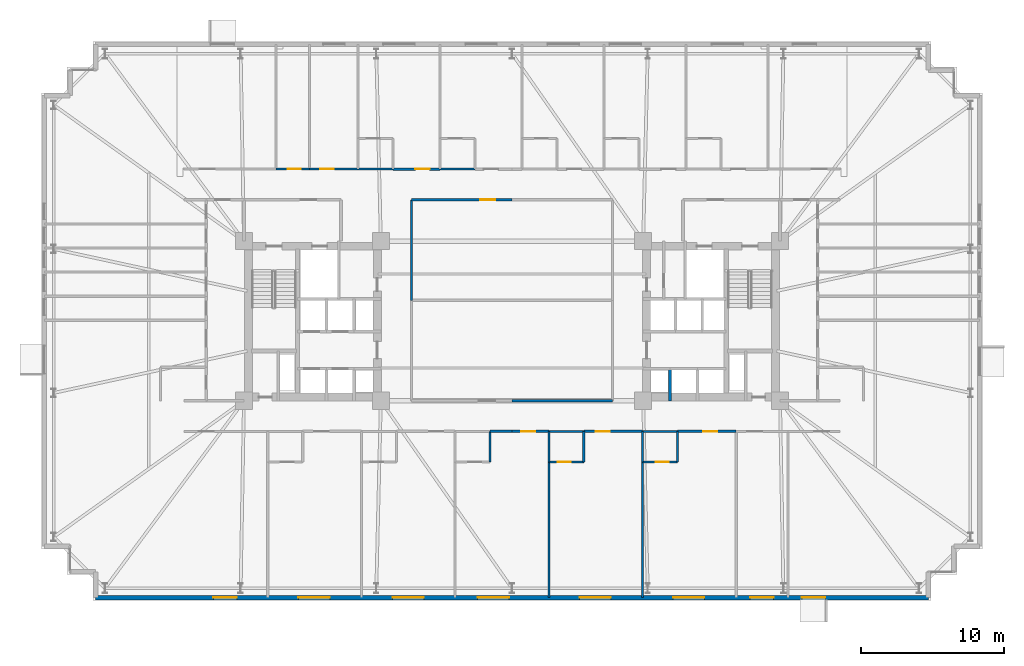
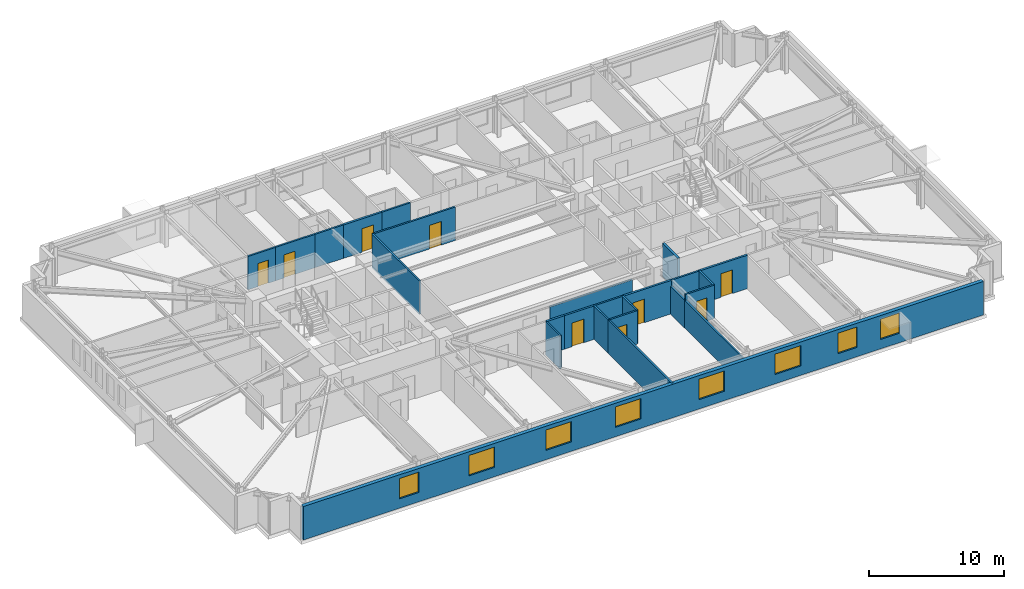
# One storey, part 16 of 22: 25 walls, 9 doors, 8 windows, 17 openings.
"""IFC4 building model written with IfcOpenShell, lengths in metres."""

from ifc_helpers import new_model, si_unit, direction, frame, frame_2d, origin, place, context, subcontext, project, spatial, rectangle, extrude, material, layer, layer_set, type_object, element, fill, save


model = new_model("IFC4")

# Units and contexts
model_context = context("Model", 3, precision=1e-05, world=origin(), true_north=direction((0.0, 1.0)))
body_context = subcontext(model_context, "Body", "Model", "MODEL_VIEW")
ifc_project = project(units=[si_unit("LENGTHUNIT", "METRE"), si_unit("AREAUNIT", "SQUARE_METRE"), si_unit("VOLUMEUNIT", "CUBIC_METRE"), si_unit("PLANEANGLEUNIT", "RADIAN"), si_unit("MASSUNIT", "GRAM", prefix="KILO")], contexts=[model_context])

# Site, building, storey
site_placement = place(None, origin())
site = spatial("IfcSite", under=ifc_project, at=site_placement, CompositionType="ELEMENT")
building_placement = place(site_placement, origin())
building = spatial("IfcBuilding", under=site, at=building_placement, Name="Qobustan Lattice House", CompositionType="ELEMENT")
storey_placement = place(building_placement, frame((0.0, 0.0, 53.800048828125)))
storey = spatial("IfcBuildingStorey", under=building, at=storey_placement, Name="L14", CompositionType="ELEMENT", Elevation=53.800048828125)

# Wall, openings, windows
ifc_material_1 = material(Name="Precast concrete C40/50", Category="concrete")
ifc_layer_1 = layer(ifc_material_1, 0.320068359375)
ifc_layer_set_1 = layer_set([ifc_layer_1], Name="Precast concrete C40/50")
wall_type_1 = type_object("IfcWallType", Name="WAL-EXT-STONE-320", PredefinedType="SOLIDWALL", material=ifc_layer_set_1)
wall_1_placement = place(storey_placement, frame((29.199951171875, -19.39990234375, 0.0), z_axis=(0.0, 0.0, 1.0), x_axis=(-1.0, 0.0, 0.0)))
wall_1 = element("IfcWall", 1, at=wall_1_placement, inside=storey, type_object=wall_type_1, Name="L14 exterior limestone-clad wall 20", PredefinedType="SOLIDWALL", context=body_context, shape_type="SweptSolid", body=[
    extrude(rectangle(XDim=58.39990234375, YDim=0.320068359375, at=frame_2d((29.199951171875, 0.0))), origin(), (0.0, 0.0, 1.0), 3.034912109375),
])
opening_1_placement = place(wall_1_placement, frame((7.215087890625, 0.0, 0.85009765625)))
opening_1 = element("IfcOpeningElement", 2, at=opening_1_placement, cuts=wall_1, Name="Opening WN-09", PredefinedType="OPENING", context=body_context, shape_type="SweptSolid", body=[
    extrude(rectangle(XDim=1.64990234375, YDim=1.85009765625, at=frame_2d((0.824951171875, 0.925048828125))), frame((0.0, 0.169921875, 0.0), z_axis=(0.0, -1.0, 0.0), x_axis=(1.0, 0.0, 0.0)), (0.0, 0.0, 1.0), 0.340087890625),
])
opening_2_placement = place(wall_1_placement, frame((10.85498046875, 0.0, 0.85009765625)))
opening_2 = element("IfcOpeningElement", 3, at=opening_2_placement, cuts=wall_1, Name="Opening WN-09", PredefinedType="OPENING", context=body_context, shape_type="SweptSolid", body=[
    extrude(rectangle(XDim=1.64990234375, YDim=1.85009765625, at=frame_2d((0.824951171875, 0.925048828125))), frame((0.0, 0.169921875, 0.0), z_axis=(0.0, -1.0, 0.0), x_axis=(1.0, 0.0, 0.0)), (0.0, 0.0, 1.0), 0.340087890625),
])
opening_3_placement = place(wall_1_placement, frame((15.699951171875, 0.0, 0.85009765625)))
opening_3 = element("IfcOpeningElement", 4, at=opening_3_placement, cuts=wall_1, Name="Opening WN-03", PredefinedType="OPENING", context=body_context, shape_type="SweptSolid", body=[
    extrude(rectangle(XDim=2.199951171875, YDim=1.85009765625, at=frame_2d((1.10009765625, 0.925048828125))), frame((0.0, 0.169921875, 0.0), z_axis=(0.0, -1.0, 0.0), x_axis=(1.0, 0.0, 0.0)), (0.0, 0.0, 1.0), 0.340087890625),
])
opening_4_placement = place(wall_1_placement, frame((22.260009765625, 0.0, 0.85009765625)))
opening_4 = element("IfcOpeningElement", 5, at=opening_4_placement, cuts=wall_1, Name="Opening WN-03", PredefinedType="OPENING", context=body_context, shape_type="SweptSolid", body=[
    extrude(rectangle(XDim=2.199951171875, YDim=1.85009765625, at=frame_2d((1.10009765625, 0.925048828125))), frame((0.0, 0.169921875, 0.0), z_axis=(0.0, -1.0, 0.0), x_axis=(1.0, 0.0, 0.0)), (0.0, 0.0, 1.0), 0.340087890625),
])
opening_5_placement = place(wall_1_placement, frame((29.407958984375, 0.0, 0.85009765625)))
opening_5 = element("IfcOpeningElement", 6, at=opening_5_placement, cuts=wall_1, Name="Opening WN-03", PredefinedType="OPENING", context=body_context, shape_type="SweptSolid", body=[
    extrude(rectangle(XDim=2.199951171875, YDim=1.85009765625, at=frame_2d((1.10009765625, 0.925048828125))), frame((0.0, 0.169921875, 0.0), z_axis=(0.0, -1.0, 0.0), x_axis=(1.0, 0.0, 0.0)), (0.0, 0.0, 1.0), 0.340087890625),
])
opening_6_placement = place(wall_1_placement, frame((35.3798828125, 0.0, 0.85009765625)))
opening_6 = element("IfcOpeningElement", 7, at=opening_6_placement, cuts=wall_1, Name="Opening WN-03", PredefinedType="OPENING", context=body_context, shape_type="SweptSolid", body=[
    extrude(rectangle(XDim=2.199951171875, YDim=1.85009765625, at=frame_2d((1.10009765625, 0.925048828125))), frame((0.0, 0.169921875, 0.0), z_axis=(0.0, -1.0, 0.0), x_axis=(1.0, 0.0, 0.0)), (0.0, 0.0, 1.0), 0.340087890625),
])
opening_7_placement = place(wall_1_placement, frame((41.97998046875, 0.0, 0.85009765625)))
opening_7 = element("IfcOpeningElement", 8, at=opening_7_placement, cuts=wall_1, Name="Opening WN-03", PredefinedType="OPENING", context=body_context, shape_type="SweptSolid", body=[
    extrude(rectangle(XDim=2.199951171875, YDim=1.85009765625, at=frame_2d((1.10009765625, 0.925048828125))), frame((0.0, 0.169921875, 0.0), z_axis=(0.0, -1.0, 0.0), x_axis=(1.0, 0.0, 0.0)), (0.0, 0.0, 1.0), 0.340087890625),
])
opening_8_placement = place(wall_1_placement, frame((48.4951171875, 0.0, 0.85009765625)))
opening_8 = element("IfcOpeningElement", 9, at=opening_8_placement, cuts=wall_1, Name="Opening WN-09", PredefinedType="OPENING", context=body_context, shape_type="SweptSolid", body=[
    extrude(rectangle(XDim=1.64990234375, YDim=1.85009765625, at=frame_2d((0.824951171875, 0.925048828125))), frame((0.0, 0.169921875, 0.0), z_axis=(0.0, -1.0, 0.0), x_axis=(1.0, 0.0, 0.0)), (0.0, 0.0, 1.0), 0.340087890625),
])
ifc_material_2 = material(Name="Double-glazed low-E aluminium window", Category="aluminium")
window_type_1 = type_object("IfcWindowType", Name="WIN-STU-1650x1850", PartitioningType="SINGLE_PANEL", PredefinedType="WINDOW", material=ifc_material_2)
window_1_placement = place(opening_1_placement, origin())
window_1 = element("IfcWindow", 10, at=window_1_placement, inside=storey, type_object=window_type_1, Name="L14 Academic seminar room window", OverallHeight=1.85009765625, OverallWidth=1.64990234375, PartitioningType="SINGLE_PANEL", PredefinedType="WINDOW", context=body_context, shape_type="SweptSolid", body=[
    extrude(rectangle(XDim=1.64990234375, YDim=1.85009765625, at=frame_2d((0.824951171875, 0.925048828125))), frame((0.0, 0.030029296875, 0.0), z_axis=(0.0, -1.0, 0.0), x_axis=(1.0, 0.0, 0.0)), (0.0, 0.0, 1.0), 0.06005859375),
])
fill(opening_1, window_1)
window_2_placement = place(opening_2_placement, origin())
window_2 = element("IfcWindow", 11, at=window_2_placement, inside=storey, type_object=window_type_1, Name="L14 Group study room window", OverallHeight=1.85009765625, OverallWidth=1.64990234375, PartitioningType="SINGLE_PANEL", PredefinedType="WINDOW", context=body_context, shape_type="SweptSolid", body=[
    extrude(rectangle(XDim=1.64990234375, YDim=1.85009765625, at=frame_2d((0.824951171875, 0.925048828125))), frame((0.0, 0.030029296875, 0.0), z_axis=(0.0, -1.0, 0.0), x_axis=(1.0, 0.0, 0.0)), (0.0, 0.0, 1.0), 0.06005859375),
])
fill(opening_2, window_2)
window_3_placement = place(opening_8_placement, origin())
window_3 = element("IfcWindow", 12, at=window_3_placement, inside=storey, type_object=window_type_1, Name="L14 Focus study room S1 window", OverallHeight=1.85009765625, OverallWidth=1.64990234375, PartitioningType="SINGLE_PANEL", PredefinedType="WINDOW", context=body_context, shape_type="SweptSolid", body=[
    extrude(rectangle(XDim=1.64990234375, YDim=1.85009765625, at=frame_2d((0.824951171875, 0.925048828125))), frame((0.0, 0.030029296875, 0.0), z_axis=(0.0, -1.0, 0.0), x_axis=(1.0, 0.0, 0.0)), (0.0, 0.0, 1.0), 0.06005859375),
])
fill(opening_8, window_3)
ifc_material_3 = material(Name="Double-glazed low-E aluminium window", Category="aluminium")
window_type_2 = type_object("IfcWindowType", Name="WIN-WIDE-2200x1850", PartitioningType="SINGLE_PANEL", PredefinedType="WINDOW", material=ifc_material_3)
window_4_placement = place(opening_3_placement, origin())
window_4 = element("IfcWindow", 13, at=window_4_placement, inside=storey, type_object=window_type_2, Name="L14 Kitchenette and studio apartment L14-S6 window", OverallHeight=1.85009765625, OverallWidth=2.199951171875, PartitioningType="SINGLE_PANEL", PredefinedType="WINDOW", context=body_context, shape_type="SweptSolid", body=[
    extrude(rectangle(XDim=2.199951171875, YDim=1.85009765625, at=frame_2d((1.10009765625, 0.925048828125))), frame((0.0, 0.030029296875, 0.0), z_axis=(0.0, -1.0, 0.0), x_axis=(1.0, 0.0, 0.0)), (0.0, 0.0, 1.0), 0.06005859375),
])
fill(opening_3, window_4)
window_5_placement = place(opening_4_placement, origin())
window_5 = element("IfcWindow", 14, at=window_5_placement, inside=storey, type_object=window_type_2, Name="L14 Kitchenette and studio apartment L14-S5 window", OverallHeight=1.85009765625, OverallWidth=2.199951171875, PartitioningType="SINGLE_PANEL", PredefinedType="WINDOW", context=body_context, shape_type="SweptSolid", body=[
    extrude(rectangle(XDim=2.199951171875, YDim=1.85009765625, at=frame_2d((1.10009765625, 0.925048828125))), frame((0.0, 0.030029296875, 0.0), z_axis=(0.0, -1.0, 0.0), x_axis=(1.0, 0.0, 0.0)), (0.0, 0.0, 1.0), 0.06005859375),
])
fill(opening_4, window_5)
window_6_placement = place(opening_5_placement, origin())
window_6 = element("IfcWindow", 15, at=window_6_placement, inside=storey, type_object=window_type_2, Name="L14 Kitchenette and studio apartment L14-S4 window", OverallHeight=1.85009765625, OverallWidth=2.199951171875, PartitioningType="SINGLE_PANEL", PredefinedType="WINDOW", context=body_context, shape_type="SweptSolid", body=[
    extrude(rectangle(XDim=2.199951171875, YDim=1.85009765625, at=frame_2d((1.10009765625, 0.925048828125))), frame((0.0, 0.030029296875, 0.0), z_axis=(0.0, -1.0, 0.0), x_axis=(1.0, 0.0, 0.0)), (0.0, 0.0, 1.0), 0.06005859375),
])
fill(opening_5, window_6)
window_7_placement = place(opening_6_placement, origin())
window_7 = element("IfcWindow", 16, at=window_7_placement, inside=storey, type_object=window_type_2, Name="L14 Kitchenette and studio apartment L14-S3 window", OverallHeight=1.85009765625, OverallWidth=2.199951171875, PartitioningType="SINGLE_PANEL", PredefinedType="WINDOW", context=body_context, shape_type="SweptSolid", body=[
    extrude(rectangle(XDim=2.199951171875, YDim=1.85009765625, at=frame_2d((1.10009765625, 0.925048828125))), frame((0.0, 0.030029296875, 0.0), z_axis=(0.0, -1.0, 0.0), x_axis=(1.0, 0.0, 0.0)), (0.0, 0.0, 1.0), 0.06005859375),
])
fill(opening_6, window_7)
window_8_placement = place(opening_7_placement, origin())
window_8 = element("IfcWindow", 17, at=window_8_placement, inside=storey, type_object=window_type_2, Name="L14 Kitchenette and studio apartment L14-S2 window", OverallHeight=1.85009765625, OverallWidth=2.199951171875, PartitioningType="SINGLE_PANEL", PredefinedType="WINDOW", context=body_context, shape_type="SweptSolid", body=[
    extrude(rectangle(XDim=2.199951171875, YDim=1.85009765625, at=frame_2d((1.10009765625, 0.925048828125))), frame((0.0, 0.030029296875, 0.0), z_axis=(0.0, -1.0, 0.0), x_axis=(1.0, 0.0, 0.0)), (0.0, 0.0, 1.0), 0.06005859375),
])
fill(opening_7, window_8)

# Wall, opening, door
ifc_material_4 = material(Name="Gypsum fireboard acoustic partition", Category="gypsum")
ifc_layer_2 = layer(ifc_material_4, 0.179931640625)
ifc_layer_set_2 = layer_set([ifc_layer_2], Name="Gypsum fireboard acoustic partition")
wall_type_2 = type_object("IfcWallType", Name="WAL-FIRE-180", PredefinedType="PARTITIONING", material=ifc_layer_set_2)
wall_2_placement = place(storey_placement, frame((-8.35009765625, 10.64990234375, 0.0), z_axis=(0.0, 0.0, 1.0), x_axis=(1.0, 0.0, 0.0)))
wall_2 = element("IfcWall", 18, at=wall_2_placement, inside=storey, type_object=wall_type_2, Name="L14 interior partition 41", PredefinedType="PARTITIONING", context=body_context, shape_type="SweptSolid", body=[
    extrude(rectangle(XDim=3.300048828125, YDim=0.179931640625, at=frame_2d((1.64990234375, 0.0))), origin(), (0.0, 0.0, 1.0), 3.034912109375),
])
opening_9_placement = place(wall_2_placement, frame((1.577392578125, 0.0, 0.0)))
opening_9 = element("IfcOpeningElement", 19, at=opening_9_placement, cuts=wall_2, Name="Opening FD-02", PredefinedType="OPENING", context=body_context, shape_type="SweptSolid", body=[
    extrude(rectangle(XDim=1.0, YDim=2.14990234375, at=frame_2d((0.5, 1.074951171875))), frame((0.0, 0.099853515625, 0.0), z_axis=(0.0, -1.0, 0.0), x_axis=(1.0, 0.0, 0.0)), (0.0, 0.0, 1.0), 0.199951171875),
])
ifc_material_5 = material(Name="Persian walnut timber and steel frame door", Category="steel")
door_type_1 = type_object("IfcDoorType", Name="DOR-UNIT-FD-1000x2150", OperationType="NOTDEFINED", PredefinedType="DOOR", material=ifc_material_5)
door_1_placement = place(opening_9_placement, origin())
door_1 = element("IfcDoor", 20, at=door_1_placement, inside=storey, type_object=door_type_1, Name="L14 North-west floor corridor to Kitchenette and studio apartment L14-N3 door", OperationType="SINGLE_SWING_LEFT", OverallHeight=2.14990234375, OverallWidth=1.0, PredefinedType="DOOR", context=body_context, shape_type="SweptSolid", body=[
    extrude(rectangle(XDim=1.0, YDim=2.14990234375, at=frame_2d((0.5, 1.074951171875))), frame((0.0, 0.02490234375, 0.0), z_axis=(0.0, -1.0, 0.0), x_axis=(1.0, 0.0, 0.0)), (0.0, 0.0, 1.0), 0.050048828125),
])
fill(opening_9, door_1)

# Wall
wall_3_placement = place(storey_placement, frame((0.0, -7.75, 0.0), z_axis=(0.0, 0.0, 1.0), x_axis=(-1.0, 0.0, 0.0)))
element("IfcWall", 21, at=wall_3_placement, inside=storey, type_object=wall_type_2, Name="L14 interior partition 64", PredefinedType="PARTITIONING", context=body_context, shape_type="SweptSolid", body=[
    extrude(rectangle(XDim=1.535888671875, YDim=0.179931640625, at=frame_2d((0.76806640625, 0.0))), origin(), (0.0, 0.0, 1.0), 3.034912109375),
])

# Wall, opening, door
wall_4_placement = place(storey_placement, frame((2.5859375, -7.75, 0.0), z_axis=(0.0, 0.0, 1.0), x_axis=(-1.0, 0.0, 0.0)))
wall_4 = element("IfcWall", 22, at=wall_4_placement, inside=storey, type_object=wall_type_2, Name="L14 interior partition 69", PredefinedType="PARTITIONING", context=body_context, shape_type="SweptSolid", body=[
    extrude(rectangle(XDim=2.5859375, YDim=0.179931640625, at=frame_2d((1.29296875, 0.0))), origin(), (0.0, 0.0, 1.0), 3.034912109375),
])
opening_10_placement = place(wall_4_placement, frame((0.95263671875, 0.0, 0.0)))
opening_10 = element("IfcOpeningElement", 23, at=opening_10_placement, cuts=wall_4, Name="Opening FD-02", PredefinedType="OPENING", context=body_context, shape_type="SweptSolid", body=[
    extrude(rectangle(XDim=1.0, YDim=2.14990234375, at=frame_2d((0.5, 1.074951171875))), frame((0.0, 0.099853515625, 0.0), z_axis=(0.0, -1.0, 0.0), x_axis=(1.0, 0.0, 0.0)), (0.0, 0.0, 1.0), 0.199951171875),
])
door_2_placement = place(opening_10_placement, origin())
door_2 = element("IfcDoor", 24, at=door_2_placement, inside=storey, type_object=door_type_1, Name="L14 South-east floor corridor to Kitchenette and studio apartment L14-S4 door", OperationType="SINGLE_SWING_LEFT", OverallHeight=2.14990234375, OverallWidth=1.0, PredefinedType="DOOR", context=body_context, shape_type="SweptSolid", body=[
    extrude(rectangle(XDim=1.0, YDim=2.14990234375, at=frame_2d((0.5, 1.074951171875))), frame((0.0, 0.02490234375, 0.0), z_axis=(0.0, -1.0, 0.0), x_axis=(1.0, 0.0, 0.0)), (0.0, 0.0, 1.0), 0.050048828125),
])
fill(opening_10, door_2)

wall_5_placement = place(storey_placement, frame((9.156982421875, -7.75, 0.0), z_axis=(0.0, 0.0, 1.0), x_axis=(-1.0, 0.0, 0.0)))
wall_5 = element("IfcWall", 25, at=wall_5_placement, inside=storey, type_object=wall_type_2, Name="L14 interior partition 70", PredefinedType="PARTITIONING", context=body_context, shape_type="SweptSolid", body=[
    extrude(rectangle(XDim=4.12109375, YDim=0.179931640625, at=frame_2d((2.060546875, 0.0))), origin(), (0.0, 0.0, 1.0), 3.034912109375),
])
opening_11_placement = place(wall_5_placement, frame((2.2958984375, 0.0, 0.0)))
opening_11 = element("IfcOpeningElement", 26, at=opening_11_placement, cuts=wall_5, Name="Opening FD-02", PredefinedType="OPENING", context=body_context, shape_type="SweptSolid", body=[
    extrude(rectangle(XDim=1.0, YDim=2.14990234375, at=frame_2d((0.5, 1.074951171875))), frame((0.0, 0.099853515625, 0.0), z_axis=(0.0, -1.0, 0.0), x_axis=(1.0, 0.0, 0.0)), (0.0, 0.0, 1.0), 0.199951171875),
])
door_3_placement = place(opening_11_placement, origin())
door_3 = element("IfcDoor", 27, at=door_3_placement, inside=storey, type_object=door_type_1, Name="L14 South-east floor corridor to Kitchenette and studio apartment L14-S5 door", OperationType="SINGLE_SWING_RIGHT", OverallHeight=2.14990234375, OverallWidth=1.0, PredefinedType="DOOR", context=body_context, shape_type="SweptSolid", body=[
    extrude(rectangle(XDim=1.0, YDim=2.14990234375, at=frame_2d((0.5, 1.074951171875))), frame((0.0, 0.02490234375, 0.0), z_axis=(0.0, -1.0, 0.0), x_axis=(1.0, 0.0, 0.0)), (0.0, 0.0, 1.0), 0.050048828125),
])
fill(opening_11, door_3)

wall_6_placement = place(storey_placement, frame((15.72900390625, -7.75, 0.0), z_axis=(0.0, 0.0, 1.0), x_axis=(-1.0, 0.0, 0.0)))
wall_6 = element("IfcWall", 28, at=wall_6_placement, inside=storey, type_object=wall_type_2, Name="L14 interior partition 72", PredefinedType="PARTITIONING", context=body_context, shape_type="SweptSolid", body=[
    extrude(rectangle(XDim=4.1220703125, YDim=0.179931640625, at=frame_2d((2.06103515625, 0.0))), origin(), (0.0, 0.0, 1.0), 3.034912109375),
])
opening_12_placement = place(wall_6_placement, frame((1.315673828125, 0.0, 0.0)))
opening_12 = element("IfcOpeningElement", 29, at=opening_12_placement, cuts=wall_6, Name="Opening FD-02", PredefinedType="OPENING", context=body_context, shape_type="SweptSolid", body=[
    extrude(rectangle(XDim=1.0, YDim=2.14990234375, at=frame_2d((0.5, 1.074951171875))), frame((0.0, 0.099853515625, 0.0), z_axis=(0.0, -1.0, 0.0), x_axis=(1.0, 0.0, 0.0)), (0.0, 0.0, 1.0), 0.199951171875),
])
door_4_placement = place(opening_12_placement, origin())
door_4 = element("IfcDoor", 30, at=door_4_placement, inside=storey, type_object=door_type_1, Name="L14 South-east floor corridor to Kitchenette and studio apartment L14-S6 door", OperationType="SINGLE_SWING_LEFT", OverallHeight=2.14990234375, OverallWidth=1.0, PredefinedType="DOOR", context=body_context, shape_type="SweptSolid", body=[
    extrude(rectangle(XDim=1.0, YDim=2.14990234375, at=frame_2d((0.5, 1.074951171875))), frame((0.0, 0.02490234375, 0.0), z_axis=(0.0, -1.0, 0.0), x_axis=(1.0, 0.0, 0.0)), (0.0, 0.0, 1.0), 0.050048828125),
])
fill(opening_12, door_4)

ifc_material_6 = material(Name="Acoustic twin-stud gypsum partition", Category="gypsum")
ifc_layer_3 = layer(ifc_material_6, 0.14990234375)
ifc_layer_set_3 = layer_set([ifc_layer_3], Name="Acoustic twin-stud gypsum partition")
wall_type_3 = type_object("IfcWallType", Name="WAL-PART-150", PredefinedType="PARTITIONING", material=ifc_layer_set_3)
wall_7_placement = place(storey_placement, frame((-14.199951171875, 10.64990234375, 0.0), z_axis=(0.0, 0.0, 1.0), x_axis=(1.0, 0.0, 0.0)))
wall_7 = element("IfcWall", 31, at=wall_7_placement, inside=storey, type_object=wall_type_3, Name="L14 interior partition 40", PredefinedType="PARTITIONING", context=body_context, shape_type="SweptSolid", body=[
    extrude(rectangle(XDim=3.39990234375, YDim=0.14990234375, at=frame_2d((1.699951171875, 0.0))), origin(), (0.0, 0.0, 1.0), 3.034912109375),
])
opening_13_placement = place(wall_7_placement, frame((0.7412109375, 0.0, 0.0)))
opening_13 = element("IfcOpeningElement", 32, at=opening_13_placement, cuts=wall_7, Name="Opening ID-01", PredefinedType="OPENING", context=body_context, shape_type="SweptSolid", body=[
    extrude(rectangle(XDim=0.949951171875, YDim=2.10009765625, at=frame_2d((0.47509765625, 1.050048828125))), frame((0.0, 0.0849609375, 0.0), z_axis=(0.0, -1.0, 0.0), x_axis=(1.0, 0.0, 0.0)), (0.0, 0.0, 1.0), 0.169921875),
])
ifc_material_7 = material(Name="Persian walnut timber and steel frame door", Category="steel")
door_type_2 = type_object("IfcDoorType", Name="DOR-ROOM-950x2100", OperationType="NOTDEFINED", PredefinedType="DOOR", material=ifc_material_7)
door_5_placement = place(opening_13_placement, origin())
door_5 = element("IfcDoor", 33, at=door_5_placement, inside=storey, type_object=door_type_2, Name="L14 North-west floor corridor to Laundry utility room door", OperationType="SINGLE_SWING_RIGHT", OverallHeight=2.10009765625, OverallWidth=0.949951171875, PredefinedType="DOOR", context=body_context, shape_type="SweptSolid", body=[
    extrude(rectangle(XDim=0.949951171875, YDim=2.10009765625, at=frame_2d((0.47509765625, 1.050048828125))), frame((0.0, 0.02490234375, 0.0), z_axis=(0.0, -1.0, 0.0), x_axis=(1.0, 0.0, 0.0)), (0.0, 0.0, 1.0), 0.050048828125),
])
fill(opening_13, door_5)

wall_8_placement = place(storey_placement, frame((0.0, 8.5, 0.0), z_axis=(0.0, 0.0, 1.0), x_axis=(-1.0, 0.0, 0.0)))
wall_8 = element("IfcWall", 34, at=wall_8_placement, inside=storey, type_object=wall_type_3, Name="L14 interior partition 45", PredefinedType="PARTITIONING", context=body_context, shape_type="SweptSolid", body=[
    extrude(rectangle(XDim=7.050048828125, YDim=0.14990234375, at=frame_2d((3.52490234375, 0.0))), origin(), (0.0, 0.0, 1.0), 3.034912109375),
])
opening_14_placement = place(wall_8_placement, frame((1.18505859375, 0.0, 0.0)))
opening_14 = element("IfcOpeningElement", 35, at=opening_14_placement, cuts=wall_8, Name="Opening ID-02", PredefinedType="OPENING", context=body_context, shape_type="SweptSolid", body=[
    extrude(rectangle(XDim=1.050048828125, YDim=2.14990234375, at=frame_2d((0.52490234375, 1.074951171875))), frame((0.0, 0.0849609375, 0.0), z_axis=(0.0, -1.0, 0.0), x_axis=(1.0, 0.0, 0.0)), (0.0, 0.0, 1.0), 0.169921875),
])
ifc_material_8 = material(Name="Persian walnut timber and steel frame door", Category="steel")
door_type_3 = type_object("IfcDoorType", Name="DOR-STUDY-1050x2150", OperationType="NOTDEFINED", PredefinedType="DOOR", material=ifc_material_8)
door_6_placement = place(opening_14_placement, origin())
door_6 = element("IfcDoor", 36, at=door_6_placement, inside=storey, type_object=door_type_3, Name="L14 North-west floor corridor to Central collaborative study room door", OperationType="SINGLE_SWING_LEFT", OverallHeight=2.14990234375, OverallWidth=1.050048828125, PredefinedType="DOOR", context=body_context, shape_type="SweptSolid", body=[
    extrude(rectangle(XDim=1.050048828125, YDim=2.14990234375, at=frame_2d((0.52490234375, 1.074951171875))), frame((0.0, 0.02490234375, 0.0), z_axis=(0.0, -1.0, 0.0), x_axis=(1.0, 0.0, 0.0)), (0.0, 0.0, 1.0), 0.050048828125),
])
fill(opening_14, door_6)

# Walls
wall_9_placement = place(storey_placement, frame((-7.050048828125, 8.5, 0.0), z_axis=(0.0, 0.0, 1.0), x_axis=(0.0, -1.0, 0.0)))
element("IfcWall", 37, at=wall_9_placement, inside=storey, type_object=wall_type_3, Name="L14 interior partition 78", PredefinedType="PARTITIONING", context=body_context, shape_type="SweptSolid", body=[
    extrude(rectangle(XDim=7.050048828125, YDim=0.14990234375, at=frame_2d((3.52490234375, 0.0))), origin(), (0.0, 0.0, 1.0), 3.034912109375),
])
wall_10_placement = place(storey_placement, frame((2.5859375, -9.89990234375, 0.0), z_axis=(0.0, 0.0, 1.0), x_axis=(0.0, -1.0, 0.0)))
element("IfcWall", 38, at=wall_10_placement, inside=storey, type_object=wall_type_3, Name="L14 interior partition 144", PredefinedType="PARTITIONING", context=body_context, shape_type="SweptSolid", body=[
    extrude(rectangle(XDim=9.5, YDim=0.14990234375, at=frame_2d((4.75, 0.0))), origin(), (0.0, 0.0, 1.0), 3.034912109375),
])
wall_11_placement = place(storey_placement, frame((9.156982421875, -9.89990234375, 0.0), z_axis=(0.0, 0.0, 1.0), x_axis=(0.0, -1.0, 0.0)))
element("IfcWall", 39, at=wall_11_placement, inside=storey, type_object=wall_type_3, Name="L14 interior partition 148", PredefinedType="PARTITIONING", context=body_context, shape_type="SweptSolid", body=[
    extrude(rectangle(XDim=9.5, YDim=0.14990234375, at=frame_2d((4.75, 0.0))), origin(), (0.0, 0.0, 1.0), 2.52001953125),
])
ifc_material_9 = material(Name="High-mass acoustic twin-stud partition", Category="gypsum")
ifc_layer_4 = layer(ifc_material_9, 0.1650390625)
ifc_layer_set_4 = layer_set([ifc_layer_4], Name="High-mass acoustic twin-stud partition")
wall_type_4 = type_object("IfcWallType", Name="WAL-PART-165", PredefinedType="PARTITIONING", material=ifc_layer_set_4)
wall_12_placement = place(storey_placement, frame((0.0, -5.60009765625, 0.0), z_axis=(0.0, 0.0, 1.0), x_axis=(1.0, 0.0, 0.0)))
element("IfcWall", 40, at=wall_12_placement, inside=storey, type_object=wall_type_4, Name="L14 interior partition 76", PredefinedType="PARTITIONING", context=body_context, shape_type="SweptSolid", body=[
    extrude(rectangle(XDim=7.050048828125, YDim=0.1650390625, at=frame_2d((3.52490234375, 0.0))), origin(), (0.0, 0.0, 1.0), 2.52001953125),
])
ifc_material_10 = material(Name="Concrete C40/50", Category="concrete")
ifc_layer_5 = layer(ifc_material_10, 0.199951171875)
ifc_layer_set_5 = layer_set([ifc_layer_5], Name="Concrete C40/50")
wall_type_5 = type_object("IfcWallType", Name="WAL-SHAFT-200", PredefinedType="PARTITIONING", material=ifc_layer_set_5)
wall_13_placement = place(storey_placement, frame((11.080078125, -5.60009765625, 0.0), z_axis=(0.0, 0.0, 1.0), x_axis=(0.0, 1.0, 0.0)))
element("IfcWall", 41, at=wall_13_placement, inside=storey, type_object=wall_type_5, Name="L14 interior partition 32", PredefinedType="PARTITIONING", context=body_context, shape_type="SweptSolid", body=[
    extrude(rectangle(XDim=2.25, YDim=0.199951171875, at=frame_2d((1.125, 0.0))), origin(), (0.0, 0.0, 1.0), 3.034912109375),
])

# Wall, opening, door
ifc_material_11 = material(Name="Moisture-resistant acoustic plumbing wall", Category="gypsum")
ifc_layer_6 = layer(ifc_material_11, 0.14990234375)
ifc_layer_set_6 = layer_set([ifc_layer_6], Name="Moisture-resistant acoustic plumbing wall")
wall_type_6 = type_object("IfcWallType", Name="WAL-WET-150", PredefinedType="PLUMBINGWALL", material=ifc_layer_set_6)
wall_14_placement = place(storey_placement, frame((-16.550048828125, 10.64990234375, 0.0), z_axis=(0.0, 0.0, 1.0), x_axis=(1.0, 0.0, 0.0)))
wall_14 = element("IfcWall", 42, at=wall_14_placement, inside=storey, type_object=wall_type_6, Name="L14 interior partition 39", PredefinedType="PLUMBINGWALL", context=body_context, shape_type="SweptSolid", body=[
    extrude(rectangle(XDim=2.35009765625, YDim=0.14990234375, at=frame_2d((1.175048828125, 0.0))), origin(), (0.0, 0.0, 1.0), 3.034912109375),
])
opening_15_placement = place(wall_14_placement, frame((0.833740234375, 0.0, 0.0)))
opening_15 = element("IfcOpeningElement", 43, at=opening_15_placement, cuts=wall_14, Name="Opening WD-01", PredefinedType="OPENING", context=body_context, shape_type="SweptSolid", body=[
    extrude(rectangle(XDim=0.89990234375, YDim=2.10009765625, at=frame_2d((0.449951171875, 1.050048828125))), frame((0.0, 0.0849609375, 0.0), z_axis=(0.0, -1.0, 0.0), x_axis=(1.0, 0.0, 0.0)), (0.0, 0.0, 1.0), 0.169921875),
])
ifc_material_12 = material(Name="Persian walnut timber and steel frame door", Category="steel")
door_type_4 = type_object("IfcDoorType", Name="DOR-WET-900x2100", OperationType="NOTDEFINED", PredefinedType="DOOR", material=ifc_material_12)
door_7_placement = place(opening_15_placement, origin())
door_7 = element("IfcDoor", 44, at=door_7_placement, inside=storey, type_object=door_type_4, Name="L14 North-west floor corridor to Accessible WC door", OperationType="SINGLE_SWING_LEFT", OverallHeight=2.10009765625, OverallWidth=0.89990234375, PredefinedType="DOOR", context=body_context, shape_type="SweptSolid", body=[
    extrude(rectangle(XDim=0.89990234375, YDim=2.10009765625, at=frame_2d((0.449951171875, 1.050048828125))), frame((0.0, 0.02490234375, 0.0), z_axis=(0.0, -1.0, 0.0), x_axis=(1.0, 0.0, 0.0)), (0.0, 0.0, 1.0), 0.050048828125),
])
fill(opening_15, door_7)

# Walls
for number, where, z_axis, x_axis, name in (
    (45, (-10.800048828125, 10.64990234375, 0.0), (0.0, 0.0, 1.0), (1.0, 0.0, 0.0), "L14 interior partition 42"),
    (46, (-5.050048828125, 10.64990234375, 0.0), (0.0, 0.0, 1.0), (1.0, 0.0, 0.0), "L14 interior partition 44"),
    (47, (5.035888671875, -7.75, 0.0), (0.0, 0.0, 1.0), (-1.0, 0.0, 0.0), "L14 interior partition 71"),
    (48, (11.60693359375, -7.75, 0.0), (0.0, 0.0, 1.0), (-1.0, 0.0, 0.0), "L14 interior partition 73"),
):
    element("IfcWall", number, at=place(storey_placement, frame(where, z_axis=z_axis, x_axis=x_axis)), inside=storey, type_object=wall_type_6, Name=name, PredefinedType="PLUMBINGWALL", context=body_context, shape_type="SweptSolid", body=[
        extrude(rectangle(XDim=2.449951171875, YDim=0.14990234375, at=frame_2d((1.22509765625, 0.0))), origin(), (0.0, 0.0, 1.0), 3.034912109375),
    ])
for number, where, z_axis, x_axis, name in (
    (49, (-1.535888671875, -9.89990234375, 0.0), (0.0, 0.0, 1.0), (0.0, 1.0, 0.0), "L14 interior partition 143"),
    (50, (2.5859375, -7.75, 0.0), (0.0, 0.0, 1.0), (0.0, -1.0, 0.0), "L14 interior partition 145"),
):
    element("IfcWall", number, at=place(storey_placement, frame(where, z_axis=z_axis, x_axis=x_axis)), inside=storey, type_object=wall_type_6, Name=name, PredefinedType="PLUMBINGWALL", context=body_context, shape_type="SweptSolid", body=[
        extrude(rectangle(XDim=2.14990234375, YDim=0.14990234375, at=frame_2d((1.074951171875, 0.0))), origin(), (0.0, 0.0, 1.0), 3.034912109375),
    ])

# Wall, opening, door
wall_15_placement = place(storey_placement, frame((2.5859375, -9.89990234375, 0.0), z_axis=(0.0, 0.0, 1.0), x_axis=(1.0, 0.0, 0.0)))
wall_15 = element("IfcWall", 51, at=wall_15_placement, inside=storey, type_object=wall_type_6, Name="L14 interior partition 146", PredefinedType="PLUMBINGWALL", context=body_context, shape_type="SweptSolid", body=[
    extrude(rectangle(XDim=2.449951171875, YDim=0.14990234375, at=frame_2d((1.22509765625, 0.0))), origin(), (0.0, 0.0, 1.0), 3.034912109375),
])
opening_16_placement = place(wall_15_placement, frame((0.628662109375, 0.0, 0.0)))
opening_16 = element("IfcOpeningElement", 52, at=opening_16_placement, cuts=wall_15, Name="Opening WD-01", PredefinedType="OPENING", context=body_context, shape_type="SweptSolid", body=[
    extrude(rectangle(XDim=0.89990234375, YDim=2.10009765625, at=frame_2d((0.449951171875, 1.050048828125))), frame((0.0, 0.0849609375, 0.0), z_axis=(0.0, -1.0, 0.0), x_axis=(1.0, 0.0, 0.0)), (0.0, 0.0, 1.0), 0.169921875),
])
door_8_placement = place(opening_16_placement, origin())
door_8 = element("IfcDoor", 53, at=door_8_placement, inside=storey, type_object=door_type_4, Name="L14 Kitchenette and studio apartment L14-S5 to En-suite bathroom L14-S5 door", OperationType="SINGLE_SWING_RIGHT", OverallHeight=2.10009765625, OverallWidth=0.89990234375, PredefinedType="DOOR", context=body_context, shape_type="SweptSolid", body=[
    extrude(rectangle(XDim=0.89990234375, YDim=2.10009765625, at=frame_2d((0.449951171875, 1.050048828125))), frame((0.0, 0.02490234375, 0.0), z_axis=(0.0, -1.0, 0.0), x_axis=(1.0, 0.0, 0.0)), (0.0, 0.0, 1.0), 0.050048828125),
])
fill(opening_16, door_8)

# Walls
wall_16_placement = place(storey_placement, frame((5.035888671875, -9.89990234375, 0.0), z_axis=(0.0, 0.0, 1.0), x_axis=(0.0, 1.0, 0.0)))
element("IfcWall", 54, at=wall_16_placement, inside=storey, type_object=wall_type_6, Name="L14 interior partition 147", PredefinedType="PLUMBINGWALL", context=body_context, shape_type="SweptSolid", body=[
    extrude(rectangle(XDim=2.14990234375, YDim=0.14990234375, at=frame_2d((1.074951171875, 0.0))), origin(), (0.0, 0.0, 1.0), 3.034912109375),
])
wall_17_placement = place(storey_placement, frame((9.156982421875, -7.75, 0.0), z_axis=(0.0, 0.0, 1.0), x_axis=(0.0, -1.0, 0.0)))
element("IfcWall", 55, at=wall_17_placement, inside=storey, type_object=wall_type_6, Name="L14 interior partition 149", PredefinedType="PLUMBINGWALL", context=body_context, shape_type="SweptSolid", body=[
    extrude(rectangle(XDim=2.14990234375, YDim=0.14990234375, at=frame_2d((1.074951171875, 0.0))), origin(), (0.0, 0.0, 1.0), 2.52001953125),
])

# Wall, opening, door
wall_18_placement = place(storey_placement, frame((9.156982421875, -9.89990234375, 0.0), z_axis=(0.0, 0.0, 1.0), x_axis=(1.0, 0.0, 0.0)))
wall_18 = element("IfcWall", 56, at=wall_18_placement, inside=storey, type_object=wall_type_6, Name="L14 interior partition 150", PredefinedType="PLUMBINGWALL", context=body_context, shape_type="SweptSolid", body=[
    extrude(rectangle(XDim=2.449951171875, YDim=0.14990234375, at=frame_2d((1.22509765625, 0.0))), origin(), (0.0, 0.0, 1.0), 3.034912109375),
])
opening_17_placement = place(wall_18_placement, frame((0.921142578125, 0.0, 0.0)))
opening_17 = element("IfcOpeningElement", 57, at=opening_17_placement, cuts=wall_18, Name="Opening WD-01", PredefinedType="OPENING", context=body_context, shape_type="SweptSolid", body=[
    extrude(rectangle(XDim=0.89990234375, YDim=2.10009765625, at=frame_2d((0.449951171875, 1.050048828125))), frame((0.0, 0.0849609375, 0.0), z_axis=(0.0, -1.0, 0.0), x_axis=(1.0, 0.0, 0.0)), (0.0, 0.0, 1.0), 0.169921875),
])
door_9_placement = place(opening_17_placement, origin())
door_9 = element("IfcDoor", 58, at=door_9_placement, inside=storey, type_object=door_type_4, Name="L14 Kitchenette and studio apartment L14-S6 to En-suite bathroom L14-S6 door", OperationType="SINGLE_SWING_LEFT", OverallHeight=2.10009765625, OverallWidth=0.89990234375, PredefinedType="DOOR", context=body_context, shape_type="SweptSolid", body=[
    extrude(rectangle(XDim=0.89990234375, YDim=2.10009765625, at=frame_2d((0.449951171875, 1.050048828125))), frame((0.0, 0.02490234375, 0.0), z_axis=(0.0, -1.0, 0.0), x_axis=(1.0, 0.0, 0.0)), (0.0, 0.0, 1.0), 0.050048828125),
])
fill(opening_17, door_9)

# Wall
wall_19_placement = place(storey_placement, frame((11.60693359375, -9.89990234375, 0.0), z_axis=(0.0, 0.0, 1.0), x_axis=(0.0, 1.0, 0.0)))
element("IfcWall", 59, at=wall_19_placement, inside=storey, type_object=wall_type_6, Name="L14 interior partition 151", PredefinedType="PLUMBINGWALL", context=body_context, shape_type="SweptSolid", body=[
    extrude(rectangle(XDim=2.14990234375, YDim=0.14990234375, at=frame_2d((1.074951171875, 0.0))), origin(), (0.0, 0.0, 1.0), 3.034912109375),
])

save(model, "model.ifc")
